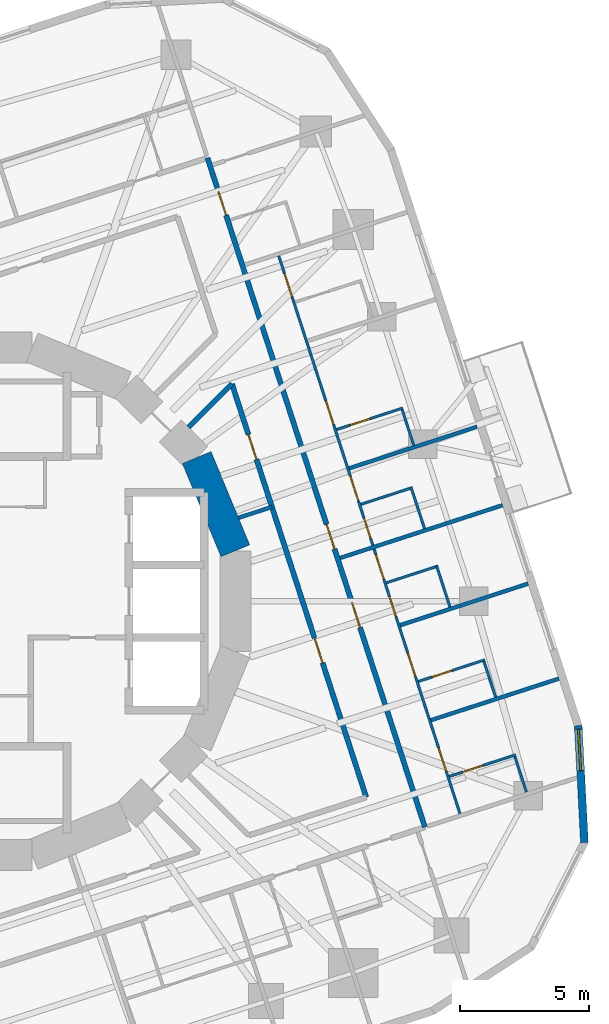
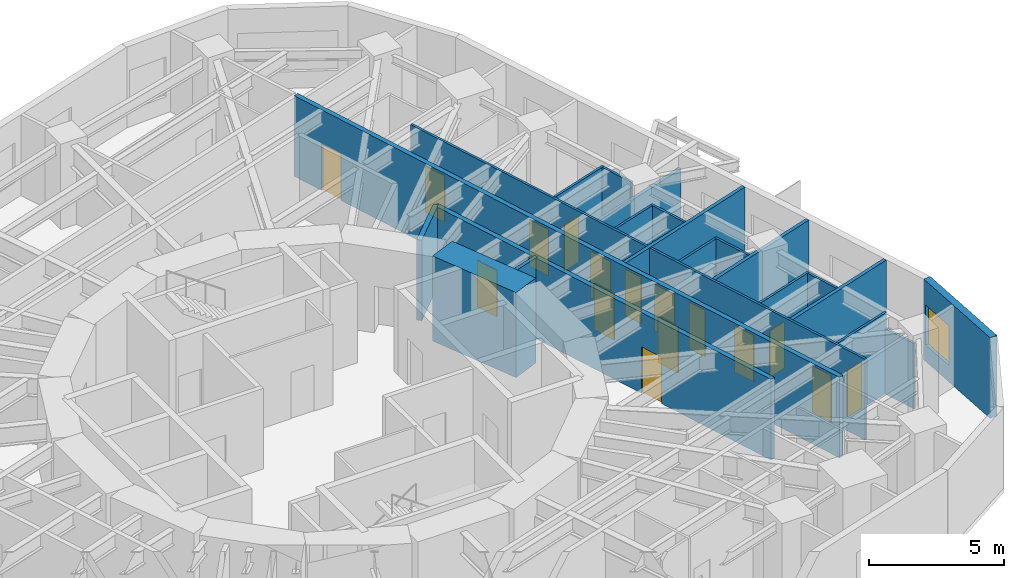
# One storey, part 8 of 12: 22 walls, 16 doors, 1 window, 17 openings.
"""IFC4 building model written with IfcOpenShell, lengths in metres."""

from ifc_helpers import new_model, si_unit, direction, frame, frame_2d, origin, place, context, subcontext, project, spatial, rectangle, extrude, material, layer, layer_set, type_object, element, fill, save


model = new_model("IFC4")

# Units and contexts
model_context = context("Model", 3, precision=1e-05, world=origin(), true_north=direction((0.0, 1.0)))
body_context = subcontext(model_context, "Body", "Model", "MODEL_VIEW")
ifc_project = project(units=[si_unit("LENGTHUNIT", "METRE"), si_unit("AREAUNIT", "SQUARE_METRE"), si_unit("VOLUMEUNIT", "CUBIC_METRE"), si_unit("PLANEANGLEUNIT", "RADIAN"), si_unit("MASSUNIT", "GRAM", prefix="KILO")], contexts=[model_context])

# Site, building, storey
site_placement = place(None, origin())
site = spatial("IfcSite", under=ifc_project, at=site_placement, CompositionType="ELEMENT")
building_placement = place(site_placement, origin())
building = spatial("IfcBuilding", under=site, at=building_placement, Name="Nakasero Lantern House", CompositionType="ELEMENT")
storey_placement = place(building_placement, frame((0.0, 0.0, 145.64990234375)))
storey = spatial("IfcBuildingStorey", under=building, at=storey_placement, Name="L35", CompositionType="ELEMENT", Elevation=145.64990234375)

# Wall, openings, doors
ifc_material_1 = material(Name="Blockwork", Category="masonry")
ifc_layer_1 = layer(ifc_material_1, 0.10009765625)
ifc_layer_set_1 = layer_set([ifc_layer_1], Name="Cluster hall wall 100")
wall_type_1 = type_object("IfcWallType", Name="Cluster hall wall 100", PredefinedType="PARTITIONING", material=ifc_layer_set_1)
wall_1_placement = place(storey_placement, frame((18.492919921875, -8.21240234375, 0.0), z_axis=(0.0, 0.0, 1.0), x_axis=(-0.309022441572, 0.951054746376, 0.0)))
wall_1 = element("IfcWall", 1, at=wall_1_placement, inside=storey, type_object=wall_type_1, Name="Cluster hall wall L35 HW0-0", PredefinedType="PARTITIONING", context=body_context, shape_type="SweptSolid", body=[
    extrude(rectangle(XDim=10.758056640625, YDim=0.10009765625, at=frame_2d((5.37890625, 0.0))), origin(), (0.0, 0.0, 1.0), 3.650146484375),
])
opening_1_placement = place(wall_1_placement, frame((9.532958984375, 0.0, 0.0)))
opening_1 = element("IfcOpeningElement", 2, at=opening_1_placement, cuts=wall_1, Name="Opening D03", PredefinedType="OPENING", context=body_context, shape_type="SweptSolid", body=[
    extrude(rectangle(XDim=1.0, YDim=2.10009765625, at=frame_2d((0.5, 1.050048828125))), frame((0.0, 0.070068359375, 0.0), z_axis=(0.0, -1.0, 0.0), x_axis=(1.0, 0.0, 0.0)), (0.0, 0.0, 1.0), 0.14013671875),
])
opening_2_placement = place(wall_1_placement, frame((8.01904296875, 0.0, 0.0)))
opening_2 = element("IfcOpeningElement", 3, at=opening_2_placement, cuts=wall_1, Name="Opening D02", PredefinedType="OPENING", context=body_context, shape_type="SweptSolid", body=[
    extrude(rectangle(XDim=0.800048828125, YDim=2.10009765625, at=frame_2d((0.39990234375, 1.050048828125))), frame((0.0, 0.070068359375, 0.0), z_axis=(0.0, -1.0, 0.0), x_axis=(1.0, 0.0, 0.0)), (0.0, 0.0, 1.0), 0.14013671875),
])
opening_3_placement = place(wall_1_placement, frame((1.72509765625, 0.0, 0.0)))
opening_3 = element("IfcOpeningElement", 4, at=opening_3_placement, cuts=wall_1, Name="Opening D01", PredefinedType="OPENING", context=body_context, shape_type="SweptSolid", body=[
    extrude(rectangle(XDim=0.949951171875, YDim=2.10009765625, at=frame_2d((0.47509765625, 1.050048828125))), frame((0.0, 0.070068359375, 0.0), z_axis=(0.0, -1.0, 0.0), x_axis=(1.0, 0.0, 0.0)), (0.0, 0.0, 1.0), 0.14013671875),
])
opening_4_placement = place(wall_1_placement, frame((5.58447265625, 0.0, 0.0)))
opening_4 = element("IfcOpeningElement", 5, at=opening_4_placement, cuts=wall_1, Name="Opening D01", PredefinedType="OPENING", context=body_context, shape_type="SweptSolid", body=[
    extrude(rectangle(XDim=0.949951171875, YDim=2.10009765625, at=frame_2d((0.47509765625, 1.050048828125))), frame((0.0, 0.070068359375, 0.0), z_axis=(0.0, -1.0, 0.0), x_axis=(1.0, 0.0, 0.0)), (0.0, 0.0, 1.0), 0.14013671875),
])
ifc_material_2 = material(Name="Timber C24", Category="wood")
door_type_1 = type_object("IfcDoorType", Name="Bedroom door FD30S 950", OperationType="SINGLE_SWING_LEFT", PredefinedType="DOOR", material=ifc_material_2)
door_1_placement = place(opening_3_placement, origin())
door_1 = element("IfcDoor", 6, at=door_1_placement, inside=storey, type_object=door_type_1, Name="Door L35 D0-00", OperationType="SINGLE_SWING_LEFT", OverallHeight=2.10009765625, OverallWidth=0.949951171875, PredefinedType="DOOR", context=body_context, shape_type="SweptSolid", body=[
    extrude(rectangle(XDim=0.949951171875, YDim=2.10009765625, at=frame_2d((0.47509765625, 1.050048828125))), frame((0.0, 0.02490234375, 0.0), z_axis=(0.0, -1.0, 0.0), x_axis=(1.0, 0.0, 0.0)), (0.0, 0.0, 1.0), 0.050048828125),
])
fill(opening_3, door_1)
door_2_placement = place(opening_4_placement, origin())
door_2 = element("IfcDoor", 7, at=door_2_placement, inside=storey, type_object=door_type_1, Name="Door L35 D0-01", OperationType="SINGLE_SWING_RIGHT", OverallHeight=2.10009765625, OverallWidth=0.949951171875, PredefinedType="DOOR", context=body_context, shape_type="SweptSolid", body=[
    extrude(rectangle(XDim=0.949951171875, YDim=2.10009765625, at=frame_2d((0.47509765625, 1.050048828125))), frame((0.0, 0.02490234375, 0.0), z_axis=(0.0, -1.0, 0.0), x_axis=(1.0, 0.0, 0.0)), (0.0, 0.0, 1.0), 0.050048828125),
])
fill(opening_4, door_2)
ifc_material_3 = material(Name="Timber C24", Category="wood")
door_type_2 = type_object("IfcDoorType", Name="En-suite door 800", OperationType="SINGLE_SWING_RIGHT", PredefinedType="DOOR", material=ifc_material_3)
door_3_placement = place(opening_2_placement, origin())
door_3 = element("IfcDoor", 8, at=door_3_placement, inside=storey, type_object=door_type_2, Name="Door L35 DSH0-0", OperationType="SINGLE_SWING_RIGHT", OverallHeight=2.10009765625, OverallWidth=0.800048828125, PredefinedType="DOOR", context=body_context, shape_type="SweptSolid", body=[
    extrude(rectangle(XDim=0.800048828125, YDim=2.10009765625, at=frame_2d((0.39990234375, 1.050048828125))), frame((0.0, 0.02490234375, 0.0), z_axis=(0.0, -1.0, 0.0), x_axis=(1.0, 0.0, 0.0)), (0.0, 0.0, 1.0), 0.050048828125),
])
fill(opening_2, door_3)
ifc_material_4 = material(Name="Timber C24", Category="wood")
door_type_3 = type_object("IfcDoorType", Name="Lounge door FD30S 1000", OperationType="SINGLE_SWING_LEFT", PredefinedType="DOOR", material=ifc_material_4)
door_4_placement = place(opening_1_placement, origin())
door_4 = element("IfcDoor", 9, at=door_4_placement, inside=storey, type_object=door_type_3, Name="Door L35 DH0-0", OperationType="SINGLE_SWING_RIGHT", OverallHeight=2.10009765625, OverallWidth=1.0, PredefinedType="DOOR", context=body_context, shape_type="SweptSolid", body=[
    extrude(rectangle(XDim=1.0, YDim=2.10009765625, at=frame_2d((0.5, 1.050048828125))), frame((0.0, 0.02490234375, 0.0), z_axis=(0.0, -1.0, 0.0), x_axis=(1.0, 0.0, 0.0)), (0.0, 0.0, 1.0), 0.050048828125),
])
fill(opening_1, door_4)

wall_2_placement = place(storey_placement, frame((15.1220703125, 2.161865234375, 0.0), z_axis=(0.0, 0.0, 1.0), x_axis=(-0.309009113534, 0.9510590769, 0.0)))
wall_2 = element("IfcWall", 10, at=wall_2_placement, inside=storey, type_object=wall_type_1, Name="Cluster hall wall L35 HW0-1", PredefinedType="PARTITIONING", context=body_context, shape_type="SweptSolid", body=[
    extrude(rectangle(XDim=11.76416015625, YDim=0.10009765625, at=frame_2d((5.882080078125, 0.0))), origin(), (0.0, 0.0, 1.0), 3.650146484375),
])
opening_5_placement = place(wall_2_placement, frame((1.81396484375, 0.0, 0.0)))
opening_5 = element("IfcOpeningElement", 11, at=opening_5_placement, cuts=wall_2, Name="Opening D03", PredefinedType="OPENING", context=body_context, shape_type="SweptSolid", body=[
    extrude(rectangle(XDim=1.0, YDim=2.10009765625, at=frame_2d((0.5, 1.050048828125))), frame((0.0, 0.070068359375, 0.0), z_axis=(0.0, -1.0, 0.0), x_axis=(1.0, 0.0, 0.0)), (0.0, 0.0, 1.0), 0.14013671875),
])
opening_6_placement = place(wall_2_placement, frame((0.300048828125, 0.0, 0.0)))
opening_6 = element("IfcOpeningElement", 12, at=opening_6_placement, cuts=wall_2, Name="Opening D02", PredefinedType="OPENING", context=body_context, shape_type="SweptSolid", body=[
    extrude(rectangle(XDim=0.800048828125, YDim=2.10009765625, at=frame_2d((0.39990234375, 1.050048828125))), frame((0.0, 0.070068359375, 0.0), z_axis=(0.0, -1.0, 0.0), x_axis=(1.0, 0.0, 0.0)), (0.0, 0.0, 1.0), 0.14013671875),
])
opening_7_placement = place(wall_2_placement, frame((4.9140625, 0.0, 0.0)))
opening_7 = element("IfcOpeningElement", 13, at=opening_7_placement, cuts=wall_2, Name="Opening D01", PredefinedType="OPENING", context=body_context, shape_type="SweptSolid", body=[
    extrude(rectangle(XDim=0.949951171875, YDim=2.10009765625, at=frame_2d((0.47509765625, 1.050048828125))), frame((0.0, 0.070068359375, 0.0), z_axis=(0.0, -1.0, 0.0), x_axis=(1.0, 0.0, 0.0)), (0.0, 0.0, 1.0), 0.14013671875),
])
opening_8_placement = place(wall_2_placement, frame((10.09521484375, 0.0, 0.0)))
opening_8 = element("IfcOpeningElement", 14, at=opening_8_placement, cuts=wall_2, Name="Opening D01", PredefinedType="OPENING", context=body_context, shape_type="SweptSolid", body=[
    extrude(rectangle(XDim=0.949951171875, YDim=2.10009765625, at=frame_2d((0.47509765625, 1.050048828125))), frame((0.0, 0.070068359375, 0.0), z_axis=(0.0, -1.0, 0.0), x_axis=(1.0, 0.0, 0.0)), (0.0, 0.0, 1.0), 0.14013671875),
])
door_5_placement = place(opening_7_placement, origin())
door_5 = element("IfcDoor", 15, at=door_5_placement, inside=storey, type_object=door_type_1, Name="Door L35 D0-04", OperationType="SINGLE_SWING_LEFT", OverallHeight=2.10009765625, OverallWidth=0.949951171875, PredefinedType="DOOR", context=body_context, shape_type="SweptSolid", body=[
    extrude(rectangle(XDim=0.949951171875, YDim=2.10009765625, at=frame_2d((0.47509765625, 1.050048828125))), frame((0.0, 0.02490234375, 0.0), z_axis=(0.0, -1.0, 0.0), x_axis=(1.0, 0.0, 0.0)), (0.0, 0.0, 1.0), 0.050048828125),
])
fill(opening_7, door_5)
door_6_placement = place(opening_8_placement, origin())
door_6 = element("IfcDoor", 16, at=door_6_placement, inside=storey, type_object=door_type_1, Name="Door L35 D0-05", OperationType="SINGLE_SWING_RIGHT", OverallHeight=2.10009765625, OverallWidth=0.949951171875, PredefinedType="DOOR", context=body_context, shape_type="SweptSolid", body=[
    extrude(rectangle(XDim=0.949951171875, YDim=2.10009765625, at=frame_2d((0.47509765625, 1.050048828125))), frame((0.0, 0.02490234375, 0.0), z_axis=(0.0, -1.0, 0.0), x_axis=(1.0, 0.0, 0.0)), (0.0, 0.0, 1.0), 0.050048828125),
])
fill(opening_8, door_6)
door_7_placement = place(opening_6_placement, origin())
door_7 = element("IfcDoor", 17, at=door_7_placement, inside=storey, type_object=door_type_2, Name="Door L35 DSH0-1", OperationType="SINGLE_SWING_LEFT", OverallHeight=2.10009765625, OverallWidth=0.800048828125, PredefinedType="DOOR", context=body_context, shape_type="SweptSolid", body=[
    extrude(rectangle(XDim=0.800048828125, YDim=2.10009765625, at=frame_2d((0.39990234375, 1.050048828125))), frame((0.0, 0.02490234375, 0.0), z_axis=(0.0, -1.0, 0.0), x_axis=(1.0, 0.0, 0.0)), (0.0, 0.0, 1.0), 0.050048828125),
])
fill(opening_6, door_7)
door_8_placement = place(opening_5_placement, origin())
door_8 = element("IfcDoor", 18, at=door_8_placement, inside=storey, type_object=door_type_3, Name="Door L35 DH0-1", OperationType="SINGLE_SWING_LEFT", OverallHeight=2.10009765625, OverallWidth=1.0, PredefinedType="DOOR", context=body_context, shape_type="SweptSolid", body=[
    extrude(rectangle(XDim=1.0, YDim=2.10009765625, at=frame_2d((0.5, 1.050048828125))), frame((0.0, 0.02490234375, 0.0), z_axis=(0.0, -1.0, 0.0), x_axis=(1.0, 0.0, 0.0)), (0.0, 0.0, 1.0), 0.050048828125),
])
fill(opening_5, door_8)

# Wall
ifc_material_5 = material(Name="Concrete C50/60", Category="concrete")
ifc_layer_2 = layer(ifc_material_5, 1.199951171875)
ifc_layer_set_2 = layer_set([ifc_layer_2], Name="Core wall 1200")
wall_type_2 = type_object("IfcWallType", Name="Core wall 1200", PredefinedType="SHEAR", material=ifc_layer_set_2)
wall_3_placement = place(storey_placement, frame((9.807861328125, 1.950927734375, 0.0), z_axis=(0.0, 0.0, 1.0), x_axis=(-0.382690736062, 0.923876507187, 0.0)))
element("IfcWall", 19, at=wall_3_placement, inside=storey, type_object=wall_type_2, Name="Core wall L35 facet 1", PredefinedType="SHEAR", context=body_context, shape_type="SweptSolid", body=[
    extrude(rectangle(XDim=3.90185546875, YDim=1.199951171875, at=frame_2d((1.950927734375, 0.0))), origin(), (0.0, 0.0, 1.0), 3.85009765625),
])

# Wall, openings, doors
ifc_material_6 = material(Name="Blockwork", Category="masonry")
ifc_layer_3 = layer(ifc_material_6, 0.199951171875)
ifc_layer_set_3 = layer_set([ifc_layer_3], Name="Corridor wall 200")
wall_type_3 = type_object("IfcWallType", Name="Corridor wall 200", PredefinedType="PARTITIONING", material=ifc_layer_set_3)
wall_4_placement = place(storey_placement, frame((17.136962890625, -8.731689453125, 0.0), z_axis=(0.0, 0.0, 1.0), x_axis=(-0.309018283835, 0.951056097323, 0.0)))
wall_4 = element("IfcWall", 20, at=wall_4_placement, inside=storey, type_object=wall_type_3, Name="Corridor wall L35 CW0", PredefinedType="PARTITIONING", context=body_context, shape_type="SweptSolid", body=[
    extrude(rectangle(XDim=27.199951171875, YDim=0.199951171875, at=frame_2d((13.60009765625, 0.0))), origin(), (0.0, 0.0, 1.0), 3.650146484375),
])
opening_9_placement = place(wall_4_placement, frame((8.118896484375, 0.0, 0.0)))
opening_9 = element("IfcOpeningElement", 21, at=opening_9_placement, cuts=wall_4, Name="Opening D14", PredefinedType="OPENING", context=body_context, shape_type="SweptSolid", body=[
    extrude(rectangle(XDim=1.0, YDim=2.10009765625, at=frame_2d((0.5, 1.050048828125))), frame((0.0, 0.119873046875, 0.0), z_axis=(0.0, -1.0, 0.0), x_axis=(1.0, 0.0, 0.0)), (0.0, 0.0, 1.0), 0.239990234375),
])
opening_10_placement = place(wall_4_placement, frame((11.30810546875, 0.0, 0.0)))
opening_10 = element("IfcOpeningElement", 22, at=opening_10_placement, cuts=wall_4, Name="Opening D14", PredefinedType="OPENING", context=body_context, shape_type="SweptSolid", body=[
    extrude(rectangle(XDim=1.0, YDim=2.10009765625, at=frame_2d((0.5, 1.050048828125))), frame((0.0, 0.119873046875, 0.0), z_axis=(0.0, -1.0, 0.0), x_axis=(1.0, 0.0, 0.0)), (0.0, 0.0, 1.0), 0.239990234375),
])
opening_11_placement = place(wall_4_placement, frame((24.872314453125, 0.0, 0.0)))
opening_11 = element("IfcOpeningElement", 23, at=opening_11_placement, cuts=wall_4, Name="Opening D01", PredefinedType="OPENING", context=body_context, shape_type="SweptSolid", body=[
    extrude(rectangle(XDim=0.949951171875, YDim=2.10009765625, at=frame_2d((0.47509765625, 1.050048828125))), frame((0.0, 0.119873046875, 0.0), z_axis=(0.0, -1.0, 0.0), x_axis=(1.0, 0.0, 0.0)), (0.0, 0.0, 1.0), 0.239990234375),
])
door_9_placement = place(opening_11_placement, origin())
door_9 = element("IfcDoor", 24, at=door_9_placement, inside=storey, type_object=door_type_1, Name="Door L35 D0-06", OperationType="SINGLE_SWING_RIGHT", OverallHeight=2.10009765625, OverallWidth=0.949951171875, PredefinedType="DOOR", context=body_context, shape_type="SweptSolid", body=[
    extrude(rectangle(XDim=0.949951171875, YDim=2.10009765625, at=frame_2d((0.47509765625, 1.050048828125))), frame((0.0, 0.02490234375, 0.0), z_axis=(0.0, -1.0, 0.0), x_axis=(1.0, 0.0, 0.0)), (0.0, 0.0, 1.0), 0.050048828125),
])
fill(opening_11, door_9)
ifc_material_7 = material(Name="Timber C24", Category="wood")
door_type_4 = type_object("IfcDoorType", Name="Cluster entrance door FD30S 1000", OperationType="SINGLE_SWING_LEFT", PredefinedType="DOOR", material=ifc_material_7)
door_10_placement = place(opening_9_placement, origin())
door_10 = element("IfcDoor", 25, at=door_10_placement, inside=storey, type_object=door_type_4, Name="Door L35 DF0-0", OperationType="SINGLE_SWING_LEFT", OverallHeight=2.10009765625, OverallWidth=1.0, PredefinedType="DOOR", context=body_context, shape_type="SweptSolid", body=[
    extrude(rectangle(XDim=1.0, YDim=2.10009765625, at=frame_2d((0.5, 1.050048828125))), frame((0.0, 0.02490234375, 0.0), z_axis=(0.0, -1.0, 0.0), x_axis=(1.0, 0.0, 0.0)), (0.0, 0.0, 1.0), 0.050048828125),
])
fill(opening_9, door_10)
door_11_placement = place(opening_10_placement, origin())
door_11 = element("IfcDoor", 26, at=door_11_placement, inside=storey, type_object=door_type_4, Name="Door L35 DF0-1", OperationType="SINGLE_SWING_LEFT", OverallHeight=2.10009765625, OverallWidth=1.0, PredefinedType="DOOR", context=body_context, shape_type="SweptSolid", body=[
    extrude(rectangle(XDim=1.0, YDim=2.10009765625, at=frame_2d((0.5, 1.050048828125))), frame((0.0, 0.02490234375, 0.0), z_axis=(0.0, -1.0, 0.0), x_axis=(1.0, 0.0, 0.0)), (0.0, 0.0, 1.0), 0.050048828125),
])
fill(opening_10, door_11)

wall_5_placement = place(storey_placement, frame((14.868896484375, -7.576171875, 0.0), z_axis=(0.0, 0.0, 1.0), x_axis=(-0.309013133095, 0.951057770893, 0.0)))
wall_5 = element("IfcWall", 27, at=wall_5_placement, inside=storey, type_object=wall_type_3, Name="Corridor wall L35 IW0-0", PredefinedType="PARTITIONING", context=body_context, shape_type="SweptSolid", body=[
    extrude(rectangle(XDim=16.80224609375, YDim=0.199951171875, at=frame_2d((8.401123046875, 0.0))), origin(), (0.0, 0.0, 1.0), 3.650146484375),
])
opening_12_placement = place(wall_5_placement, frame((5.46240234375, 0.0, 0.0)))
opening_12 = element("IfcOpeningElement", 28, at=opening_12_placement, cuts=wall_5, Name="Opening D07", PredefinedType="OPENING", context=body_context, shape_type="SweptSolid", body=[
    extrude(rectangle(XDim=1.0, YDim=2.10009765625, at=frame_2d((0.5, 1.050048828125))), frame((0.0, 0.119873046875, 0.0), z_axis=(0.0, -1.0, 0.0), x_axis=(1.0, 0.0, 0.0)), (0.0, 0.0, 1.0), 0.239990234375),
])
opening_13_placement = place(wall_5_placement, frame((13.73876953125, 0.0, 0.0)))
opening_13 = element("IfcOpeningElement", 29, at=opening_13_placement, cuts=wall_5, Name="Opening D07", PredefinedType="OPENING", context=body_context, shape_type="SweptSolid", body=[
    extrude(rectangle(XDim=1.0, YDim=2.10009765625, at=frame_2d((0.5, 1.050048828125))), frame((0.0, 0.119873046875, 0.0), z_axis=(0.0, -1.0, 0.0), x_axis=(1.0, 0.0, 0.0)), (0.0, 0.0, 1.0), 0.239990234375),
])
ifc_material_8 = material(Name="Timber C24", Category="wood")
door_type_5 = type_object("IfcDoorType", Name="Room door FD30S 1000", OperationType="SINGLE_SWING_LEFT", PredefinedType="DOOR", material=ifc_material_8)
door_12_placement = place(opening_12_placement, origin())
door_12 = element("IfcDoor", 30, at=door_12_placement, inside=storey, type_object=door_type_5, Name="Door L35 DI4", OperationType="SINGLE_SWING_LEFT", OverallHeight=2.10009765625, OverallWidth=1.0, PredefinedType="DOOR", context=body_context, shape_type="SweptSolid", body=[
    extrude(rectangle(XDim=1.0, YDim=2.10009765625, at=frame_2d((0.5, 1.050048828125))), frame((0.0, 0.02490234375, 0.0), z_axis=(0.0, -1.0, 0.0), x_axis=(1.0, 0.0, 0.0)), (0.0, 0.0, 1.0), 0.050048828125),
])
fill(opening_12, door_12)
door_13_placement = place(opening_13_placement, origin())
door_13 = element("IfcDoor", 31, at=door_13_placement, inside=storey, type_object=door_type_5, Name="Door L35 DI5", OperationType="SINGLE_SWING_RIGHT", OverallHeight=2.10009765625, OverallWidth=1.0, PredefinedType="DOOR", context=body_context, shape_type="SweptSolid", body=[
    extrude(rectangle(XDim=1.0, YDim=2.10009765625, at=frame_2d((0.5, 1.050048828125))), frame((0.0, 0.02490234375, 0.0), z_axis=(0.0, -1.0, 0.0), x_axis=(1.0, 0.0, 0.0)), (0.0, 0.0, 1.0), 0.050048828125),
])
fill(opening_13, door_13)

# Walls
wall_6_placement = place(storey_placement, frame((7.995849609375, 6.72314453125, 0.0), z_axis=(0.0, 0.0, 1.0), x_axis=(0.707158134306, 0.707055424337, 0.0)))
element("IfcWall", 32, at=wall_6_placement, inside=storey, type_object=wall_type_3, Name="Corridor wall L35 PS02b", PredefinedType="PARTITIONING", context=body_context, shape_type="SweptSolid", body=[
    extrude(rectangle(XDim=2.376953125, YDim=0.199951171875, at=frame_2d((1.1884765625, 0.0))), origin(), (0.0, 0.0, 1.0), 3.650146484375),
])
ifc_material_9 = material(Name="Blockwork", Category="masonry")
ifc_layer_4 = layer(ifc_material_9, 0.10009765625)
ifc_layer_set_4 = layer_set([ifc_layer_4], Name="En-suite wall 100")
wall_type_4 = type_object("IfcWallType", Name="En-suite wall 100", PredefinedType="PARTITIONING", material=ifc_layer_set_4)
wall_7_placement = place(storey_placement, frame((15.645263671875, 0.713623046875, 0.0), z_axis=(0.0, 0.0, 1.0), x_axis=(0.951062257173, 0.308999325213, 0.0)))
element("IfcWall", 33, at=wall_7_placement, inside=storey, type_object=wall_type_4, Name="En-suite wall L35 SS0-0", PredefinedType="PARTITIONING", context=body_context, shape_type="SweptSolid", body=[
    extrude(rectangle(XDim=2.10009765625, YDim=0.10009765625, at=frame_2d((1.050048828125, 0.0))), origin(), (0.0, 0.0, 1.0), 3.650146484375),
])
wall_8_placement = place(storey_placement, frame((18.104736328125, -0.22216796875, 0.0), z_axis=(0.0, 0.0, 1.0), x_axis=(-0.309066587596, 0.951040401051, 0.0)))
element("IfcWall", 34, at=wall_8_placement, inside=storey, type_object=wall_type_4, Name="En-suite wall L35 SE0-0", PredefinedType="PARTITIONING", context=body_context, shape_type="SweptSolid", body=[
    extrude(rectangle(XDim=1.699951171875, YDim=0.10009765625, at=frame_2d((0.85009765625, 0.0))), origin(), (0.0, 0.0, 1.0), 3.650146484375),
])
wall_9_placement = place(storey_placement, frame((14.65966796875, 3.74658203125, 0.0), z_axis=(0.0, 0.0, 1.0), x_axis=(0.951062257173, 0.308999325213, 0.0)))
element("IfcWall", 35, at=wall_9_placement, inside=storey, type_object=wall_type_4, Name="En-suite wall L35 SS0-1", PredefinedType="PARTITIONING", context=body_context, shape_type="SweptSolid", body=[
    extrude(rectangle(XDim=2.10009765625, YDim=0.10009765625, at=frame_2d((1.050048828125, 0.0))), origin(), (0.0, 0.0, 1.0), 3.650146484375),
])
wall_10_placement = place(storey_placement, frame((17.119384765625, 2.810791015625, 0.0), z_axis=(0.0, 0.0, 1.0), x_axis=(-0.309066587596, 0.951040401051, 0.0)))
element("IfcWall", 36, at=wall_10_placement, inside=storey, type_object=wall_type_4, Name="En-suite wall L35 SE0-1", PredefinedType="PARTITIONING", context=body_context, shape_type="SweptSolid", body=[
    extrude(rectangle(XDim=1.699951171875, YDim=0.10009765625, at=frame_2d((0.85009765625, 0.0))), origin(), (0.0, 0.0, 1.0), 3.650146484375),
])

# Wall, opening, door
wall_11_placement = place(storey_placement, frame((18.076904296875, -6.770263671875, 0.0), z_axis=(0.0, 0.0, 1.0), x_axis=(0.951069945308, 0.308975661068, 0.0)))
wall_11 = element("IfcWall", 37, at=wall_11_placement, inside=storey, type_object=wall_type_4, Name="En-suite wall L35 ES0-00", PredefinedType="PARTITIONING", context=body_context, shape_type="SweptSolid", body=[
    extrude(rectangle(XDim=2.699951171875, YDim=0.10009765625, at=frame_2d((1.35009765625, 0.0))), origin(), (0.0, 0.0, 1.0), 3.650146484375),
])
opening_14_placement = place(wall_11_placement, frame((0.550048828125, 0.0, 0.0)))
opening_14 = element("IfcOpeningElement", 38, at=opening_14_placement, cuts=wall_11, Name="Opening D02", PredefinedType="OPENING", context=body_context, shape_type="SweptSolid", body=[
    extrude(rectangle(XDim=0.800048828125, YDim=2.10009765625, at=frame_2d((0.39990234375, 1.050048828125))), frame((0.0, 0.070068359375, 0.0), z_axis=(0.0, -1.0, 0.0), x_axis=(1.0, 0.0, 0.0)), (0.0, 0.0, 1.0), 0.14013671875),
])
door_14_placement = place(opening_14_placement, origin())
door_14 = element("IfcDoor", 39, at=door_14_placement, inside=storey, type_object=door_type_2, Name="Door L35 DE0-00", OperationType="SINGLE_SWING_LEFT", OverallHeight=2.10009765625, OverallWidth=0.800048828125, PredefinedType="DOOR", context=body_context, shape_type="SweptSolid", body=[
    extrude(rectangle(XDim=0.800048828125, YDim=2.10009765625, at=frame_2d((0.39990234375, 1.050048828125))), frame((0.0, 0.02490234375, 0.0), z_axis=(0.0, -1.0, 0.0), x_axis=(1.0, 0.0, 0.0)), (0.0, 0.0, 1.0), 0.050048828125),
])
fill(opening_14, door_14)

# Wall
wall_12_placement = place(storey_placement, frame((21.060791015625, -7.3779296875, 0.0), z_axis=(0.0, 0.0, 1.0), x_axis=(-0.309146989542, 0.951014268482, 0.0)))
element("IfcWall", 40, at=wall_12_placement, inside=storey, type_object=wall_type_4, Name="En-suite wall L35 EE0-00", PredefinedType="PARTITIONING", context=body_context, shape_type="SweptSolid", body=[
    extrude(rectangle(XDim=1.449951171875, YDim=0.10009765625, at=frame_2d((0.72509765625, 0.0))), origin(), (0.0, 0.0, 1.0), 2.957275390625),
])

# Wall, opening, door
wall_13_placement = place(storey_placement, frame((16.88427734375, -3.099609375, 0.0), z_axis=(0.0, 0.0, 1.0), x_axis=(0.951069945308, 0.308975661068, 0.0)))
wall_13 = element("IfcWall", 41, at=wall_13_placement, inside=storey, type_object=wall_type_4, Name="En-suite wall L35 ES0-01", PredefinedType="PARTITIONING", context=body_context, shape_type="SweptSolid", body=[
    extrude(rectangle(XDim=2.699951171875, YDim=0.10009765625, at=frame_2d((1.35009765625, 0.0))), origin(), (0.0, 0.0, 1.0), 3.650146484375),
])
opening_15_placement = place(wall_13_placement, frame((0.550048828125, 0.0, 0.0)))
opening_15 = element("IfcOpeningElement", 42, at=opening_15_placement, cuts=wall_13, Name="Opening D02", PredefinedType="OPENING", context=body_context, shape_type="SweptSolid", body=[
    extrude(rectangle(XDim=0.800048828125, YDim=2.10009765625, at=frame_2d((0.39990234375, 1.050048828125))), frame((0.0, 0.070068359375, 0.0), z_axis=(0.0, -1.0, 0.0), x_axis=(1.0, 0.0, 0.0)), (0.0, 0.0, 1.0), 0.14013671875),
])
door_15_placement = place(opening_15_placement, origin())
door_15 = element("IfcDoor", 43, at=door_15_placement, inside=storey, type_object=door_type_2, Name="Door L35 DE0-01", OperationType="SINGLE_SWING_LEFT", OverallHeight=2.10009765625, OverallWidth=0.800048828125, PredefinedType="DOOR", context=body_context, shape_type="SweptSolid", body=[
    extrude(rectangle(XDim=0.800048828125, YDim=2.10009765625, at=frame_2d((0.39990234375, 1.050048828125))), frame((0.0, 0.02490234375, 0.0), z_axis=(0.0, -1.0, 0.0), x_axis=(1.0, 0.0, 0.0)), (0.0, 0.0, 1.0), 0.050048828125),
])
fill(opening_15, door_15)

# Wall
wall_14_placement = place(storey_placement, frame((19.8681640625, -3.70751953125, 0.0), z_axis=(0.0, 0.0, 1.0), x_axis=(-0.309097492581, 0.951030357076, 0.0)))
element("IfcWall", 44, at=wall_14_placement, inside=storey, type_object=wall_type_4, Name="En-suite wall L35 EE0-01", PredefinedType="PARTITIONING", context=body_context, shape_type="SweptSolid", body=[
    extrude(rectangle(XDim=1.4501953125, YDim=0.10009765625, at=frame_2d((0.72509765625, 0.0))), origin(), (0.0, 0.0, 1.0), 3.650146484375),
])

# Wall, opening, door
wall_15_placement = place(storey_placement, frame((13.720703125, 6.63671875, 0.0), z_axis=(0.0, 0.0, 1.0), x_axis=(0.951043371037, 0.309057448393, 0.0)))
wall_15 = element("IfcWall", 45, at=wall_15_placement, inside=storey, type_object=wall_type_4, Name="En-suite wall L35 ES0-04", PredefinedType="PARTITIONING", context=body_context, shape_type="SweptSolid", body=[
    extrude(rectangle(XDim=2.699951171875, YDim=0.10009765625, at=frame_2d((1.35009765625, 0.0))), origin(), (0.0, 0.0, 1.0), 3.650146484375),
])
opening_16_placement = place(wall_15_placement, frame((0.550048828125, 0.0, 0.0)))
opening_16 = element("IfcOpeningElement", 46, at=opening_16_placement, cuts=wall_15, Name="Opening D02", PredefinedType="OPENING", context=body_context, shape_type="SweptSolid", body=[
    extrude(rectangle(XDim=0.800048828125, YDim=2.10009765625, at=frame_2d((0.39990234375, 1.050048828125))), frame((0.0, 0.070068359375, 0.0), z_axis=(0.0, -1.0, 0.0), x_axis=(1.0, 0.0, 0.0)), (0.0, 0.0, 1.0), 0.14013671875),
])
door_16_placement = place(opening_16_placement, origin())
door_16 = element("IfcDoor", 47, at=door_16_placement, inside=storey, type_object=door_type_2, Name="Door L35 DE0-04", OperationType="SINGLE_SWING_LEFT", OverallHeight=2.10009765625, OverallWidth=0.800048828125, PredefinedType="DOOR", context=body_context, shape_type="SweptSolid", body=[
    extrude(rectangle(XDim=0.800048828125, YDim=2.10009765625, at=frame_2d((0.39990234375, 1.050048828125))), frame((0.0, 0.02490234375, 0.0), z_axis=(0.0, -1.0, 0.0), x_axis=(1.0, 0.0, 0.0)), (0.0, 0.0, 1.0), 0.050048828125),
])
fill(opening_16, door_16)

# Wall
wall_16_placement = place(storey_placement, frame((16.70458984375, 6.029052734375, 0.0), z_axis=(0.0, 0.0, 1.0), x_axis=(-0.309097492581, 0.951030357076, 0.0)))
element("IfcWall", 48, at=wall_16_placement, inside=storey, type_object=wall_type_4, Name="En-suite wall L35 EE0-04", PredefinedType="PARTITIONING", context=body_context, shape_type="SweptSolid", body=[
    extrude(rectangle(XDim=1.4501953125, YDim=0.10009765625, at=frame_2d((0.72509765625, 0.0))), origin(), (0.0, 0.0, 1.0), 3.650146484375),
])

# Wall, opening, window
ifc_material_10 = material(Name="Aluminium rainscreen on blockwork", Category="masonry")
ifc_layer_5 = layer(ifc_material_10, 0.300048828125)
ifc_layer_set_5 = layer_set([ifc_layer_5], Name="Facade wall 300")
wall_type_5 = type_object("IfcWallType", Name="Facade wall 300", PredefinedType="SOLIDWALL", material=ifc_layer_set_5)
wall_17_placement = place(storey_placement, frame((23.3017578125, -9.3310546875, 0.0), z_axis=(0.0, 0.0, 1.0), x_axis=(-0.052338164079, 0.998629419044, 0.0)))
wall_17 = element("IfcWall", 49, at=wall_17_placement, inside=storey, type_object=wall_type_5, Name="Facade wall L35 FW3C3", PredefinedType="SOLIDWALL", context=body_context, shape_type="SweptSolid", body=[
    extrude(rectangle(XDim=4.529296875, YDim=0.300048828125, at=frame_2d((2.2646484375, 0.0))), origin(), (0.0, 0.0, 1.0), 3.650146484375),
])
opening_17_placement = place(wall_17_placement, frame((2.784912109375, 0.0, 0.75)))
opening_17 = element("IfcOpeningElement", 50, at=opening_17_placement, cuts=wall_17, Name="Opening W01", PredefinedType="OPENING", context=body_context, shape_type="SweptSolid", body=[
    extrude(rectangle(XDim=1.60009765625, YDim=1.800048828125, at=frame_2d((0.800048828125, 0.89990234375))), frame((0.0, 0.169921875, 0.0), z_axis=(0.0, -1.0, 0.0), x_axis=(1.0, 0.0, 0.0)), (0.0, 0.0, 1.0), 0.340087890625),
])
ifc_material_11 = material(Name="Aluminium 6063-T6 and glass", Category="aluminium")
window_type = type_object("IfcWindowType", Name="Bedroom window 1600x1800", PartitioningType="SINGLE_PANEL", PredefinedType="WINDOW", material=ifc_material_11)
window_placement = place(opening_17_placement, origin())
window = element("IfcWindow", 51, at=window_placement, inside=storey, type_object=window_type, Name="Window L35 WN0-00", OverallHeight=1.800048828125, OverallWidth=1.60009765625, PartitioningType="SINGLE_PANEL", PredefinedType="WINDOW", context=body_context, shape_type="SweptSolid", body=[
    extrude(rectangle(XDim=1.60009765625, YDim=1.800048828125, at=frame_2d((0.800048828125, 0.89990234375))), frame((0.0, 0.030029296875, 0.0), z_axis=(0.0, -1.0, 0.0), x_axis=(1.0, 0.0, 0.0)), (0.0, 0.0, 1.0), 0.06005859375),
])
fill(opening_17, window)

# Walls
ifc_material_12 = material(Name="Blockwork", Category="masonry")
ifc_layer_6 = layer(ifc_material_12, 0.14990234375)
ifc_layer_set_6 = layer_set([ifc_layer_6], Name="Party wall 150")
wall_type_6 = type_object("IfcWallType", Name="Party wall 150", PredefinedType="PARTITIONING", material=ifc_layer_set_6)
for number, where, z_axis, x_axis, name in (
    (52, (17.370849609375, -4.59765625, 0.0), (0.0, 0.0, 1.0), (0.951055112834, 0.309021313752, 0.0), "Party wall L35 PW0-01"),
    (53, (16.17822265625, -0.927001953125, 0.0), (0.0, 0.0, 1.0), (0.951055112834, 0.309021313752, 0.0), "Party wall L35 PW0-02"),
):
    element("IfcWall", number, at=place(storey_placement, frame(where, z_axis=z_axis, x_axis=x_axis)), inside=storey, type_object=wall_type_6, Name=name, PredefinedType="PARTITIONING", context=body_context, shape_type="SweptSolid", body=[
        extrude(rectangle(XDim=5.2001953125, YDim=0.14990234375, at=frame_2d((2.60009765625, 0.0))), origin(), (0.0, 0.0, 1.0), 3.650146484375),
    ])
wall_18_placement = place(storey_placement, frame((13.861328125, 1.67333984375, 0.0), z_axis=(0.0, 0.0, 1.0), x_axis=(0.951056628375, 0.309016649428, 0.0)))
element("IfcWall", 54, at=wall_18_placement, inside=storey, type_object=wall_type_6, Name="Party wall L35 PW0-03", PredefinedType="PARTITIONING", context=body_context, shape_type="SweptSolid", body=[
    extrude(rectangle(XDim=6.60009765625, YDim=0.14990234375, at=frame_2d((3.300048828125, 0.0))), origin(), (0.0, 0.0, 1.0), 3.650146484375),
])
wall_19_placement = place(storey_placement, frame((14.207275390625, 5.138916015625, 0.0), z_axis=(0.0, 0.0, 1.0), x_axis=(0.951055112834, 0.309021313752, 0.0)))
element("IfcWall", 55, at=wall_19_placement, inside=storey, type_object=wall_type_6, Name="Party wall L35 PW0-04", PredefinedType="PARTITIONING", context=body_context, shape_type="SweptSolid", body=[
    extrude(rectangle(XDim=5.2001953125, YDim=0.14990234375, at=frame_2d((2.60009765625, 0.0))), origin(), (0.0, 0.0, 1.0), 2.966552734375),
])
wall_20_placement = place(storey_placement, frame((11.222412109375, 3.646484375, 0.0), z_axis=(0.0, 0.0, 1.0), x_axis=(-0.951026153486, -0.309110425878, 0.0)))
element("IfcWall", 56, at=wall_20_placement, inside=storey, type_object=wall_type_6, Name="Party wall L35 IM0", PredefinedType="PARTITIONING", context=body_context, shape_type="SweptSolid", body=[
    extrude(rectangle(XDim=1.360107421875, YDim=0.14990234375, at=frame_2d((0.68017578125, 0.0))), origin(), (0.0, 0.0, 1.0), 3.650146484375),
])

save(model, "model.ifc")
